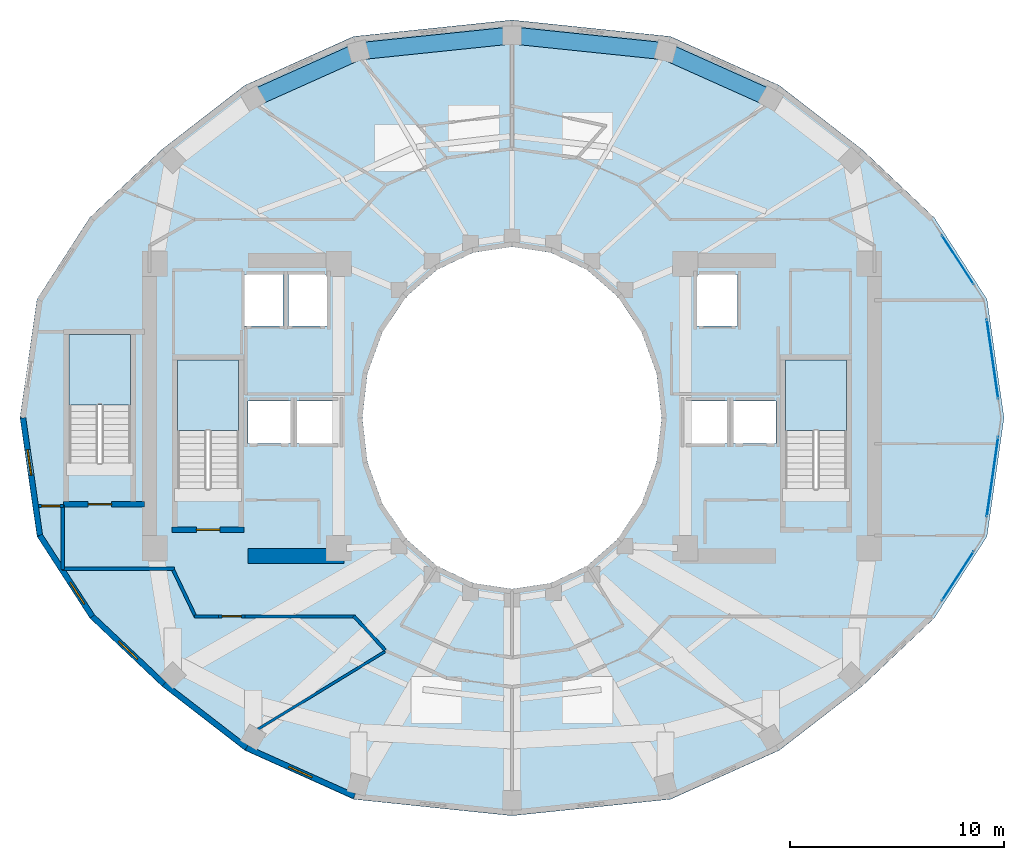
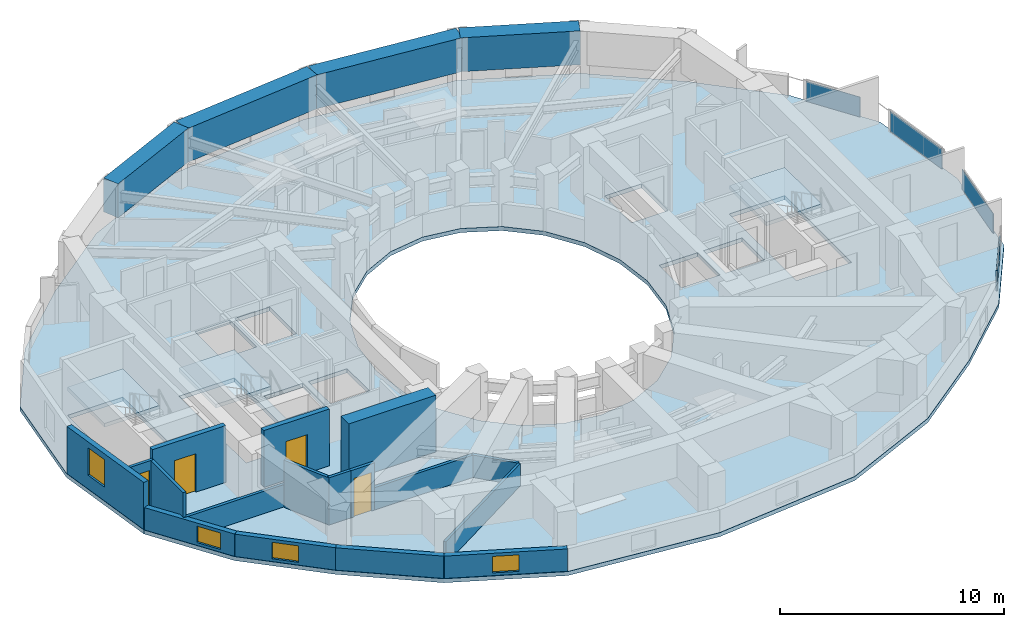
# One storey, part 5 of 13: 17 walls, 4 beams, 4 doors, 4 plates, 4 slabs, 4 windows, 8 openings, 7 elements without a shape of their own.
"""IFC4 building model written with IfcOpenShell, lengths in metres."""

from ifc_helpers import new_model, si_unit, direction, frame, frame_2d, origin, origin_2d, place, context, subcontext, project, spatial, polyline, rectangle, outline, extrude, material, layer, layer_set, material_profile, profile_set, type_object, element, fill, aggregate, save


model = new_model("IFC4")

# Units and contexts
model_context = context("Model", 3, precision=1e-05, world=origin(), true_north=direction((0.0, 1.0)))
body_context = subcontext(model_context, "Body", "Model", "MODEL_VIEW")
ifc_project = project(units=[si_unit("LENGTHUNIT", "METRE"), si_unit("AREAUNIT", "SQUARE_METRE"), si_unit("VOLUMEUNIT", "CUBIC_METRE"), si_unit("PLANEANGLEUNIT", "RADIAN"), si_unit("MASSUNIT", "GRAM", prefix="KILO")], contexts=[model_context])

# Site, building, storey
site_placement = place(None, origin())
site = spatial("IfcSite", under=ifc_project, at=site_placement, CompositionType="ELEMENT")
building_placement = place(site_placement, origin())
building = spatial("IfcBuilding", under=site, at=building_placement, Name="Solvane Sanctuary Tower", CompositionType="ELEMENT")
storey_placement = place(building_placement, frame((0.0, 0.0, 149.800048828125)))
storey = spatial("IfcBuildingStorey", under=building, at=storey_placement, Name="L45", CompositionType="ELEMENT", Elevation=149.800048828125)

# Beams
ifc_material_1 = material(Name="Concrete C70/85", Category="concrete")
ifc_material_profile = material_profile(ifc_material_1, rectangle(XDim=0.800048828125, YDim=1.85009765625, at=origin_2d()), Name="RC800X1850")
ifc_profile_set = profile_set([ifc_material_profile], Name="Concrete C70/85")
beam_type = type_object("IfcBeamType", Name="Beam B-XFER-BLK RC800X1850", PredefinedType="BEAM", material=ifc_profile_set)
beam_1_placement = place(storey_placement, frame((19.90185546875, 37.927978515625, 2.175048828125), z_axis=(0.912435879272, 0.409219704092, 0.0), x_axis=(-0.409219704092, 0.912435879272, 0.0)))
element("IfcBeam", 1, at=beam_1_placement, inside=storey, type_object=beam_type, Name="L45 Perimeter Step Transfer Ring NTC06-NTC05", PredefinedType="BEAM", context=body_context, shape_type="SweptSolid", body=[
    extrude(rectangle(XDim=0.800048828125, YDim=1.85009765625, at=origin_2d()), origin(), (0.0, 0.0, 1.0), 5.39208984375),
])
for number, where, z_axis, x_axis, name in (
    (2, (24.82177734375, 40.134521484375, 2.175048828125), (0.994652199756, 0.10328117699, 0.0), (-0.10328117699, 0.994652199756, 0.0), "L45 Perimeter Step Transfer Ring NTC05-NTC04"),
    (3, (32.0, 40.8798828125, 2.175048828125), (0.994652199756, -0.10328117699, 0.0), (0.10328117699, 0.994652199756, 0.0), "L45 Perimeter Step Transfer Ring NTC04-NTC03"),
):
    element("IfcBeam", number, at=place(storey_placement, frame(where, z_axis=z_axis, x_axis=x_axis)), inside=storey, type_object=beam_type, Name=name, PredefinedType="BEAM", context=body_context, shape_type="SweptSolid", body=[
        extrude(rectangle(XDim=0.800048828125, YDim=1.85009765625, at=origin_2d()), origin(), (0.0, 0.0, 1.0), 7.216796875),
    ])
beam_2_placement = place(storey_placement, frame((39.17822265625, 40.134521484375, 2.175048828125), z_axis=(0.912435879272, -0.409219704092, 0.0), x_axis=(0.409219704092, 0.912435879272, 0.0)))
element("IfcBeam", 4, at=beam_2_placement, inside=storey, type_object=beam_type, Name="L45 Perimeter Step Transfer Ring NTC03-NTC02", PredefinedType="BEAM", context=body_context, shape_type="SweptSolid", body=[
    extrude(rectangle(XDim=0.800048828125, YDim=1.85009765625, at=origin_2d()), origin(), (0.0, 0.0, 1.0), 5.39208984375),
])

# Curtain wall, plate
ifc_material_2 = material(Name="Anodised Aluminium 6063-T6", Category="aluminium")
ifc_layer_1 = layer(ifc_material_2, 0.2099609375, Name="Anodised Aluminium 6063-T6")
ifc_layer_set_1 = layer_set([ifc_layer_1], Name="Anodised Aluminium 6063-T6")
curtain_wall_type = type_object("IfcCurtainWallType", Name="Curtain Wall CW-PORTAL", PredefinedType="NOTDEFINED", material=ifc_layer_set_1)
curtain_wall_1_placement = place(storey_placement, origin())
curtain_wall_1 = element("IfcCurtainWall", 5, at=curtain_wall_1_placement, inside=storey, type_object=curtain_wall_type, Name="L45 CW-PORTAL Facade Run 00", PredefinedType="NOTDEFINED")
ifc_material_3 = material(Name="Dark Ceramic-Fritted Low-E Glass", Category="glass")
ifc_layer_2 = layer(ifc_material_3, 0.031982421875, Name="Dark Ceramic-Fritted Low-E Glass")
ifc_layer_set_2 = layer_set([ifc_layer_2], Name="Dark Ceramic-Fritted Low-E Glass")
plate_type = type_object("IfcPlateType", Name="Plate PN-FRIT-VIS", PredefinedType="CURTAIN_PANEL", material=ifc_layer_set_2)
plate_1_placement = place(storey_placement, frame((54.465087890625, 25.748291015625, 0.06494140625), z_axis=(0.0, 0.0, 1.0), x_axis=(-0.142247806053, 0.989831077342, 0.0)))
plate_1 = element("IfcPlate", 6, at=plate_1_placement, type_object=plate_type, Name="CW-PORTAL panel 1.1", PredefinedType="CURTAIN_PANEL", context=body_context, shape_type="SweptSolid", body=[
    extrude(rectangle(XDim=3.762939453125, YDim=0.031982421875, at=origin_2d()), origin(), (0.0, 0.0, 1.0), 1.090087890625),
])
aggregate(curtain_wall_1, [plate_1])

curtain_wall_2_placement = place(storey_placement, origin())
curtain_wall_2 = element("IfcCurtainWall", 7, at=curtain_wall_2_placement, inside=storey, type_object=curtain_wall_type, Name="L45 CW-PORTAL Facade Run 01", PredefinedType="NOTDEFINED")
plate_2_placement = place(storey_placement, frame((52.8447265625, 30.39013671875, 0.06494140625), z_axis=(0.0, 0.0, 1.0), x_axis=(-0.543340806728, 0.839512220128, 0.0)))
plate_2 = element("IfcPlate", 8, at=plate_2_placement, type_object=plate_type, Name="CW-PORTAL panel 1.1", PredefinedType="CURTAIN_PANEL", context=body_context, shape_type="SweptSolid", body=[
    extrude(rectangle(XDim=2.72119140625, YDim=0.031982421875, at=origin_2d()), origin(), (0.0, 0.0, 1.0), 1.090087890625),
])
aggregate(curtain_wall_2, [plate_2])

curtain_wall_3_placement = place(storey_placement, origin())
curtain_wall_3 = element("IfcCurtainWall", 9, at=curtain_wall_3_placement, inside=storey, type_object=curtain_wall_type, Name="L45 CW-PORTAL Facade Run 22", PredefinedType="NOTDEFINED")
plate_3_placement = place(storey_placement, frame((52.8447265625, 15.60986328125, 0.06494140625), z_axis=(0.0, 0.0, 1.0), x_axis=(0.543340806728, 0.839512220128, 0.0)))
plate_3 = element("IfcPlate", 10, at=plate_3_placement, type_object=plate_type, Name="CW-PORTAL panel 1.1", PredefinedType="CURTAIN_PANEL", context=body_context, shape_type="SweptSolid", body=[
    extrude(rectangle(XDim=2.72119140625, YDim=0.031982421875, at=origin_2d()), origin(), (0.0, 0.0, 1.0), 1.090087890625),
])
aggregate(curtain_wall_3, [plate_3])

curtain_wall_4_placement = place(storey_placement, origin())
curtain_wall_4 = element("IfcCurtainWall", 11, at=curtain_wall_4_placement, inside=storey, type_object=curtain_wall_type, Name="L45 CW-PORTAL Facade Run 23", PredefinedType="NOTDEFINED")
plate_4_placement = place(storey_placement, frame((54.465087890625, 20.251708984375, 0.06494140625), z_axis=(0.0, 0.0, 1.0), x_axis=(0.142247806053, 0.989831077342, 0.0)))
plate_4 = element("IfcPlate", 12, at=plate_4_placement, type_object=plate_type, Name="CW-PORTAL panel 1.1", PredefinedType="CURTAIN_PANEL", context=body_context, shape_type="SweptSolid", body=[
    extrude(rectangle(XDim=3.762939453125, YDim=0.031982421875, at=origin_2d()), origin(), (0.0, 0.0, 1.0), 1.090087890625),
])
aggregate(curtain_wall_4, [plate_4])

# Stair, slab
ifc_material_4 = material(Name="Concrete C45/55", Category="concrete")
stair_type = type_object("IfcStairType", Name="Stair ST-TOW", PredefinedType="HALF_TURN_STAIR", material=ifc_material_4)
stair_1_placement = place(storey_placement, origin())
stair_1 = element("IfcStair", 13, at=stair_1_placement, inside=storey, type_object=stair_type, Name="L45 Exit Stair ST-1 West Core", PredefinedType="HALF_TURN_STAIR")
ifc_layer_3 = layer(ifc_material_4, 0.199951171875, Name="Concrete C45/55")
ifc_layer_set_3 = layer_set([ifc_layer_3], Name="Concrete C45/55")
slab_type_1 = type_object("IfcSlabType", Name="Slab SL-LAND-180", PredefinedType="LANDING", material=ifc_layer_set_3)
slab_1_placement = place(storey_placement, frame((0.0, 0.0, 1.349853515625)))
slab_1 = element("IfcSlab", 14, at=slab_1_placement, type_object=slab_type_1, Name="ST-1 landing 1", PredefinedType="LANDING", context=body_context, shape_type="SweptSolid", body=[
    extrude(outline(polyline([(19.219970703125, 22.39990234375), (19.219970703125, 25.699951171875), (16.360107421875, 25.699951171875), (16.360107421875, 22.39990234375), (19.219970703125, 22.39990234375)])), origin(), (0.0, 0.0, 1.0), 0.2001953125),
])
aggregate(stair_1, [slab_1])

stair_2_placement = place(storey_placement, origin())
stair_2 = element("IfcStair", 15, at=stair_2_placement, inside=storey, type_object=stair_type, Name="L45 Exit Stair ST-2 East Core", PredefinedType="HALF_TURN_STAIR")
slab_2_placement = place(storey_placement, frame((0.0, 0.0, 1.349853515625)))
slab_2 = element("IfcSlab", 16, at=slab_2_placement, type_object=slab_type_1, Name="ST-2 landing 1", PredefinedType="LANDING", context=body_context, shape_type="SweptSolid", body=[
    extrude(outline(polyline([(47.639892578125, 22.39990234375), (47.639892578125, 25.699951171875), (44.780029296875, 25.699951171875), (44.780029296875, 22.39990234375), (47.639892578125, 22.39990234375)])), origin(), (0.0, 0.0, 1.0), 0.2001953125),
])
aggregate(stair_2, [slab_2])

stair_3_placement = place(storey_placement, origin())
stair_3 = element("IfcStair", 17, at=stair_3_placement, inside=storey, type_object=stair_type, Name="L45 Exit Stair ST-3 Pilgrim Tower Stair", PredefinedType="HALF_TURN_STAIR")
slab_3_placement = place(storey_placement, frame((0.0, 0.0, 1.349853515625)))
slab_3 = element("IfcSlab", 18, at=slab_3_placement, type_object=slab_type_1, Name="ST-3 landing 1", PredefinedType="LANDING", context=body_context, shape_type="SweptSolid", body=[
    extrude(outline(polyline([(14.159912109375, 23.60009765625), (14.159912109375, 26.89990234375), (11.300048828125, 26.89990234375), (11.300048828125, 23.60009765625), (14.159912109375, 23.60009765625)])), origin(), (0.0, 0.0, 1.0), 0.2001953125),
])
aggregate(stair_3, [slab_3])

# Slab
ifc_layer_4 = layer(ifc_material_4, 0.219970703125, Name="Concrete C45/55")
ifc_layer_set_4 = layer_set([ifc_layer_4], Name="Concrete C45/55")
slab_type_2 = type_object("IfcSlabType", Name="Slab SL-TOW-220", PredefinedType="FLOOR", material=ifc_layer_set_4)
slab_4_placement = place(storey_placement, frame((0.0, 0.0, -0.219970703125)))
element("IfcSlab", 19, at=slab_4_placement, inside=storey, type_object=slab_type_2, Name="L45 Primary Structural Slab", PredefinedType="FLOOR", context=body_context, shape_type="SweptSolid", body=[
    extrude(outline(polyline([(55.0, 23.0), (54.205322265625, 28.54150390625), (51.7392578125, 32.360107421875), (48.368896484375, 35.54345703125), (44.489013671875, 38.5458984375), (39.410400390625, 40.82958984375), (32.0, 41.60009765625), (24.589599609375, 40.82958984375), (19.510986328125, 38.5458984375), (15.631103515625, 35.54345703125), (12.2607421875, 32.360107421875), (9.794677734375, 28.54150390625), (9.0, 23.0), (9.794677734375, 17.45849609375), (12.2607421875, 13.639892578125), (15.631103515625, 10.45654296875), (19.510986328125, 7.4541015625), (24.589599609375, 5.17041015625), (32.0, 4.39990234375), (39.410400390625, 5.17041015625), (44.489013671875, 7.4541015625), (48.368896484375, 10.45654296875), (51.7392578125, 13.639892578125), (54.205322265625, 17.45849609375), (55.0, 23.0)]), holes=[polyline([(38.761474609375, 20.929443359375), (38.062255859375, 19.0), (36.94970703125, 17.343017578125), (35.5, 16.07177734375), (33.811767578125, 15.272705078125), (32.0, 15.0), (30.188232421875, 15.272705078125), (28.5, 16.07177734375), (27.05029296875, 17.343017578125), (25.937744140625, 19.0), (25.238525390625, 20.929443359375), (25.0, 23.0), (25.238525390625, 25.070556640625), (25.937744140625, 27.0), (27.05029296875, 28.656982421875), (28.5, 29.92822265625), (30.188232421875, 30.727294921875), (32.0, 31.0), (33.811767578125, 30.727294921875), (35.5, 29.92822265625), (36.94970703125, 28.656982421875), (38.062255859375, 27.0), (38.761474609375, 25.070556640625), (39.0, 23.0), (38.761474609375, 20.929443359375)]), polyline([(16.360107421875, 19.699951171875), (16.360107421875, 25.699951171875), (19.219970703125, 25.699951171875), (19.219970703125, 19.699951171875), (16.360107421875, 19.699951171875)]), polyline([(44.780029296875, 19.699951171875), (44.780029296875, 25.699951171875), (47.639892578125, 25.699951171875), (47.639892578125, 19.699951171875), (44.780029296875, 19.699951171875)]), polyline([(11.300048828125, 20.89990234375), (11.300048828125, 26.89990234375), (14.159912109375, 26.89990234375), (14.159912109375, 20.89990234375), (11.300048828125, 20.89990234375)]), polyline([(19.64990234375, 23.800048828125), (21.64990234375, 23.800048828125), (21.64990234375, 21.800048828125), (19.64990234375, 21.800048828125), (19.64990234375, 23.800048828125)]), polyline([(42.35009765625, 23.800048828125), (44.35009765625, 23.800048828125), (44.35009765625, 21.800048828125), (42.35009765625, 21.800048828125), (42.35009765625, 23.800048828125)]), polyline([(21.949951171875, 23.800048828125), (23.949951171875, 23.800048828125), (23.949951171875, 21.800048828125), (21.949951171875, 21.800048828125), (21.949951171875, 23.800048828125)]), polyline([(40.050048828125, 23.800048828125), (42.050048828125, 23.800048828125), (42.050048828125, 21.800048828125), (40.050048828125, 21.800048828125), (40.050048828125, 23.800048828125)]), polyline([(19.5, 29.699951171875), (21.300048828125, 29.699951171875), (21.300048828125, 27.300048828125), (19.5, 27.300048828125), (19.5, 29.699951171875)]), polyline([(21.550048828125, 29.699951171875), (23.35009765625, 29.699951171875), (23.35009765625, 27.300048828125), (21.550048828125, 27.300048828125), (21.550048828125, 29.699951171875)]), polyline([(40.64990234375, 29.699951171875), (42.550048828125, 29.699951171875), (42.550048828125, 27.300048828125), (40.64990234375, 27.300048828125), (40.64990234375, 29.699951171875)])]), origin(), (0.0, 0.0, 1.0), 0.219970703125),
])

# Wall
ifc_material_5 = material(Name="Concrete C60/75", Category="concrete")
ifc_layer_5 = layer(ifc_material_5, 0.699951171875, Name="Concrete C60/75")
ifc_layer_set_5 = layer_set([ifc_layer_5], Name="Concrete C60/75")
wall_type_1 = type_object("IfcWallType", Name="Wall W-CORE-700", PredefinedType="SHEAR", material=ifc_layer_set_5)
wall_1_placement = place(storey_placement, frame((19.64990234375, 16.550048828125, 0.0), z_axis=(0.0, 0.0, 1.0), x_axis=(1.0, 0.0, 0.0)))
element("IfcWall", 20, at=wall_1_placement, inside=storey, type_object=wall_type_1, Name="L45 Core Shear Wall WC-S", PredefinedType="SHEAR", context=body_context, shape_type="SweptSolid", body=[
    extrude(rectangle(XDim=4.5, YDim=0.699951171875, at=frame_2d((2.25, 0.0))), origin(), (0.0, 0.0, 1.0), 3.099853515625),
])

# Wall, opening, door
ifc_material_6 = material(Name="Acoustic Gypsum Partition Board")
ifc_layer_6 = layer(ifc_material_6, 0.14990234375, Name="Acoustic Gypsum Partition Board")
ifc_layer_set_6 = layer_set([ifc_layer_6], Name="Acoustic Gypsum Partition Board")
wall_type_2 = type_object("IfcWallType", Name="Wall W-CORR-150", PredefinedType="PARTITIONING", material=ifc_layer_set_6)
wall_2_placement = place(storey_placement, frame((9.869873046875, 18.8798828125, 0.0), z_axis=(0.0, 0.0, 1.0), x_axis=(1.0, 0.0, 0.0)))
wall_2 = element("IfcWall", 21, at=wall_2_placement, inside=storey, type_object=wall_type_2, Name="L45 SW Corner Closer 1", PredefinedType="PARTITIONING", context=body_context, shape_type="SweptSolid", body=[
    extrude(rectangle(XDim=1.170166015625, YDim=0.14990234375, at=frame_2d((0.5849609375, 0.0))), origin(), (0.0, 0.0, 1.0), 2.574951171875),
])
opening_1_placement = place(wall_2_placement, frame((0.139892578125, 0.0, 0.0)))
opening_1 = element("IfcOpeningElement", 22, at=opening_1_placement, cuts=wall_2, Name="Opening D-L45-16", PredefinedType="OPENING", context=body_context, shape_type="SweptSolid", body=[
    extrude(rectangle(XDim=0.85009765625, YDim=2.050048828125, at=frame_2d((0.425048828125, 1.02490234375))), frame((0.0, 0.0849609375, 0.0), z_axis=(0.0, -1.0, 0.0), x_axis=(1.0, 0.0, 0.0)), (0.0, 0.0, 1.0), 0.169921875),
])
ifc_material_7 = material(Name="Architectural Stainless Steel 316", Category="steel")
door_type_1 = type_object("IfcDoorType", Name="Door D-RISER", OperationType="NOTDEFINED", PredefinedType="DOOR", material=ifc_material_7)
door_1_placement = place(opening_1_placement, origin())
door_1 = element("IfcDoor", 23, at=door_1_placement, inside=storey, type_object=door_type_1, Name="L45 West Lookout Study Door", OperationType="SINGLE_SWING_RIGHT", OverallHeight=2.050048828125, OverallWidth=0.85009765625, PredefinedType="DOOR", context=body_context, shape_type="SweptSolid", body=[
    extrude(rectangle(XDim=0.85009765625, YDim=2.050048828125, at=frame_2d((0.425048828125, 1.02490234375))), frame((0.0, 0.02490234375, 0.0), z_axis=(0.0, -1.0, 0.0), x_axis=(1.0, 0.0, 0.0)), (0.0, 0.0, 1.0), 0.050048828125),
])
fill(opening_1, door_1)

# Walls
wall_3_placement = place(storey_placement, frame((11.0, 15.909912109375, 0.0), z_axis=(0.0, 0.0, 1.0), x_axis=(0.0, 1.0, 0.0)))
element("IfcWall", 24, at=wall_3_placement, inside=storey, type_object=wall_type_2, Name="L45 SW Corner Closer 2", PredefinedType="PARTITIONING", context=body_context, shape_type="SweptSolid", body=[
    extrude(rectangle(XDim=3.010009765625, YDim=0.14990234375, at=frame_2d((1.5048828125, 0.0))), origin(), (0.0, 0.0, 1.0), 2.574951171875),
])
wall_4_placement = place(storey_placement, frame((10.9599609375, 15.949951171875, 0.0), z_axis=(0.0, 0.0, 1.0), x_axis=(1.0, 0.0, 0.0)))
element("IfcWall", 25, at=wall_4_placement, inside=storey, type_object=wall_type_2, Name="L45 SW Corner Closer 3", PredefinedType="PARTITIONING", context=body_context, shape_type="SweptSolid", body=[
    extrude(rectangle(XDim=5.260009765625, YDim=0.14990234375, at=frame_2d((2.6298828125, 0.0))), origin(), (0.0, 0.0, 1.0), 1.219970703125),
])
wall_5_placement = place(storey_placement, frame((26.07177734375, 12.144287109375, 0.0), z_axis=(0.0, 0.0, 1.0), x_axis=(-0.677579737957, 0.735449317567, 0.0)))
element("IfcWall", 26, at=wall_5_placement, inside=storey, type_object=wall_type_2, Name="L45 SW Corner Throat Wall", PredefinedType="PARTITIONING", context=body_context, shape_type="SweptSolid", body=[
    extrude(rectangle(XDim=2.172607421875, YDim=0.14990234375, at=frame_2d((1.08642578125, 0.0))), origin(), (0.0, 0.0, 1.0), 1.219970703125),
])
wall_6_placement = place(storey_placement, frame((17.14990234375, 13.719970703125, 0.0), z_axis=(0.0, 0.0, 1.0), x_axis=(1.0, 0.0, 0.0)))
element("IfcWall", 27, at=wall_6_placement, inside=storey, type_object=wall_type_2, Name="L45 SW Corner Corridor Wall", PredefinedType="PARTITIONING", context=body_context, shape_type="SweptSolid", body=[
    extrude(rectangle(XDim=1.14013671875, YDim=0.14990234375, at=frame_2d((0.570068359375, 0.0))), origin(), (0.0, 0.0, 1.0), 2.574951171875),
])

# Wall, opening, door
wall_7_placement = place(storey_placement, frame((18.2900390625, 13.719970703125, 0.0), z_axis=(0.0, 0.0, 1.0), x_axis=(1.0, 0.0, 0.0)))
wall_7 = element("IfcWall", 28, at=wall_7_placement, inside=storey, type_object=wall_type_2, Name="L45 SW Corner Corridor Wall", PredefinedType="PARTITIONING", context=body_context, shape_type="SweptSolid", body=[
    extrude(rectangle(XDim=1.219970703125, YDim=0.14990234375, at=frame_2d((0.60986328125, 0.0))), origin(), (0.0, 0.0, 1.0), 2.574951171875),
])
opening_2_placement = place(wall_7_placement, frame((0.159912109375, 0.0, 0.0)))
opening_2 = element("IfcOpeningElement", 29, at=opening_2_placement, cuts=wall_7, Name="Opening D-L45-17", PredefinedType="OPENING", context=body_context, shape_type="SweptSolid", body=[
    extrude(rectangle(XDim=0.89990234375, YDim=2.10009765625, at=frame_2d((0.449951171875, 1.050048828125))), frame((0.0, 0.0849609375, 0.0), z_axis=(0.0, -1.0, 0.0), x_axis=(1.0, 0.0, 0.0)), (0.0, 0.0, 1.0), 0.169921875),
])
ifc_material_8 = material(Name="Engineered Tropical Hardwood", Category="wood")
door_type_2 = type_object("IfcDoorType", Name="Door D-WET-900", OperationType="NOTDEFINED", PredefinedType="DOOR", material=ifc_material_8)
door_2_placement = place(opening_2_placement, origin())
door_2 = element("IfcDoor", 30, at=door_2_placement, inside=storey, type_object=door_type_2, Name="L45 SW Corner Salon Door", OperationType="SINGLE_SWING_LEFT", OverallHeight=2.10009765625, OverallWidth=0.89990234375, PredefinedType="DOOR", context=body_context, shape_type="SweptSolid", body=[
    extrude(rectangle(XDim=0.89990234375, YDim=2.10009765625, at=frame_2d((0.449951171875, 1.050048828125))), frame((0.0, 0.02490234375, 0.0), z_axis=(0.0, -1.0, 0.0), x_axis=(1.0, 0.0, 0.0)), (0.0, 0.0, 1.0), 0.050048828125),
])
fill(opening_2, door_2)

# Walls
wall_8_placement = place(storey_placement, frame((19.510009765625, 13.719970703125, 0.0), z_axis=(0.0, 0.0, 1.0), x_axis=(1.0, 0.0, 0.0)))
element("IfcWall", 31, at=wall_8_placement, inside=storey, type_object=wall_type_2, Name="L45 SW Corner Corridor Wall", PredefinedType="PARTITIONING", context=body_context, shape_type="SweptSolid", body=[
    extrude(rectangle(XDim=5.159912109375, YDim=0.14990234375, at=frame_2d((2.580078125, 0.0))), origin(), (0.0, 0.0, 1.0), 1.219970703125),
])
wall_9_placement = place(storey_placement, frame((17.2216796875, 13.6748046875, 0.0), z_axis=(0.0, 0.0, 1.0), x_axis=(-0.431973389813, 0.901886351207, 0.0)))
element("IfcWall", 32, at=wall_9_placement, inside=storey, type_object=wall_type_2, Name="L45 SW Corner Wing Wall", PredefinedType="PARTITIONING", context=body_context, shape_type="SweptSolid", body=[
    extrude(rectangle(XDim=2.45166015625, YDim=0.14990234375, at=frame_2d((1.225830078125, 0.0))), origin(), (0.0, 0.0, 1.0), 2.574951171875),
])

# Wall, opening, window
ifc_material_9 = material(Name="Precast concrete C40/50", Category="concrete")
ifc_layer_7 = layer(ifc_material_9, 0.260009765625, Name="Precast concrete C40/50")
ifc_layer_set_7 = layer_set([ifc_layer_7], Name="Precast concrete C40/50")
wall_type_3 = type_object("IfcWallType", Name="Wall W-EXT-250", PredefinedType="STANDARD", material=ifc_layer_set_7)
wall_10_placement = place(storey_placement, frame((9.139892578125, 23.0, 0.0), z_axis=(0.0, 0.0, 1.0), x_axis=(0.142227632286, -0.989833976288, 0.0)))
wall_10 = element("IfcWall", 33, at=wall_10_placement, inside=storey, type_object=wall_type_3, Name="L45 Ceramic-Printed Facade Wall 12", PredefinedType="STANDARD", context=body_context, shape_type="SweptSolid", body=[
    extrude(rectangle(XDim=5.552978515625, YDim=0.260009765625, at=frame_2d((2.7763671875, 0.0))), origin(), (0.0, 0.0, 1.0), 2.570068359375),
])
opening_3_placement = place(wall_10_placement, frame((1.506103515625, 0.0, 0.75)))
opening_3 = element("IfcOpeningElement", 34, at=opening_3_placement, cuts=wall_10, Name="Opening WN-OPER-1200", PredefinedType="OPENING", context=body_context, shape_type="SweptSolid", body=[
    extrude(rectangle(XDim=1.199951171875, YDim=1.5, at=frame_2d((0.60009765625, 0.75))), frame((0.0, 0.139892578125, 0.0), z_axis=(0.0, -1.0, 0.0), x_axis=(1.0, 0.0, 0.0)), (0.0, 0.0, 1.0), 0.280029296875),
])
window_type = type_object("IfcWindowType", Name="Window WN-OPER-1200", PartitioningType="SINGLE_PANEL", PredefinedType="WINDOW", material=ifc_material_3)
window_1_placement = place(opening_3_placement, origin())
window_1 = element("IfcWindow", 35, at=window_1_placement, inside=storey, type_object=window_type, Name="L45 Operable Facade Window 12", OverallHeight=1.5, OverallWidth=1.199951171875, PartitioningType="SINGLE_PANEL", PredefinedType="WINDOW", context=body_context, shape_type="SweptSolid", body=[
    extrude(rectangle(XDim=1.199951171875, YDim=1.5, at=frame_2d((0.60009765625, 0.75))), frame((0.0, 0.030029296875, 0.0), z_axis=(0.0, -1.0, 0.0), x_axis=(1.0, 0.0, 0.0)), (0.0, 0.0, 1.0), 0.06005859375),
])
fill(opening_3, window_1)

wall_11_placement = place(storey_placement, frame((9.9296875, 17.50341796875, 0.0), z_axis=(0.0, 0.0, 1.0), x_axis=(0.543358984534, -0.839500454989, 0.0)))
wall_11 = element("IfcWall", 36, at=wall_11_placement, inside=storey, type_object=wall_type_3, Name="L45 Ceramic-Printed Facade Wall 13", PredefinedType="STANDARD", context=body_context, shape_type="SweptSolid", body=[
    extrude(rectangle(XDim=4.51123046875, YDim=0.260009765625, at=frame_2d((2.255615234375, 0.0))), origin(), (0.0, 0.0, 1.0), 1.219970703125),
])
opening_4_placement = place(wall_11_placement, frame((2.615478515625, 0.0, 0.14990234375)))
opening_4 = element("IfcOpeningElement", 37, at=opening_4_placement, cuts=wall_11, Name="Opening WN-OPER-1200", PredefinedType="OPENING", context=body_context, shape_type="SweptSolid", body=[
    extrude(rectangle(XDim=1.199951171875, YDim=0.89990234375, at=frame_2d((0.60009765625, 0.449951171875))), frame((0.0, 0.139892578125, 0.0), z_axis=(0.0, -1.0, 0.0), x_axis=(1.0, 0.0, 0.0)), (0.0, 0.0, 1.0), 0.280029296875),
])
window_2_placement = place(opening_4_placement, origin())
window_2 = element("IfcWindow", 38, at=window_2_placement, inside=storey, type_object=window_type, Name="L45 Operable Facade Window 13", OverallHeight=0.89990234375, OverallWidth=1.199951171875, PartitioningType="SINGLE_PANEL", PredefinedType="WINDOW", context=body_context, shape_type="SweptSolid", body=[
    extrude(rectangle(XDim=1.199951171875, YDim=0.89990234375, at=frame_2d((0.60009765625, 0.449951171875))), frame((0.0, 0.030029296875, 0.0), z_axis=(0.0, -1.0, 0.0), x_axis=(1.0, 0.0, 0.0)), (0.0, 0.0, 1.0), 0.06005859375),
])
fill(opening_4, window_2)

wall_12_placement = place(storey_placement, frame((12.380859375, 13.71630859375, 0.0), z_axis=(0.0, 0.0, 1.0), x_axis=(0.727667301037, -0.68593024354, 0.0)))
wall_12 = element("IfcWall", 39, at=wall_12_placement, inside=storey, type_object=wall_type_3, Name="L45 Ceramic-Printed Facade Wall 14", PredefinedType="STANDARD", context=body_context, shape_type="SweptSolid", body=[
    extrude(rectangle(XDim=4.603515625, YDim=0.260009765625, at=frame_2d((2.3017578125, 0.0))), origin(), (0.0, 0.0, 1.0), 1.219970703125),
])
opening_5_placement = place(wall_12_placement, frame((1.70166015625, 0.0, 0.14990234375)))
opening_5 = element("IfcOpeningElement", 40, at=opening_5_placement, cuts=wall_12, Name="Opening WN-OPER-1200", PredefinedType="OPENING", context=body_context, shape_type="SweptSolid", body=[
    extrude(rectangle(XDim=1.199951171875, YDim=0.89990234375, at=frame_2d((0.60009765625, 0.449951171875))), frame((0.0, 0.139892578125, 0.0), z_axis=(0.0, -1.0, 0.0), x_axis=(1.0, 0.0, 0.0)), (0.0, 0.0, 1.0), 0.280029296875),
])
window_3_placement = place(opening_5_placement, origin())
window_3 = element("IfcWindow", 41, at=window_3_placement, inside=storey, type_object=window_type, Name="L45 Operable Facade Window 14", OverallHeight=0.89990234375, OverallWidth=1.199951171875, PartitioningType="SINGLE_PANEL", PredefinedType="WINDOW", context=body_context, shape_type="SweptSolid", body=[
    extrude(rectangle(XDim=1.199951171875, YDim=0.89990234375, at=frame_2d((0.60009765625, 0.449951171875))), frame((0.0, 0.030029296875, 0.0), z_axis=(0.0, -1.0, 0.0), x_axis=(1.0, 0.0, 0.0)), (0.0, 0.0, 1.0), 0.06005859375),
])
fill(opening_5, window_3)

# Wall
wall_13_placement = place(storey_placement, frame((15.730712890625, 10.55859375, 0.0), z_axis=(0.0, 0.0, 1.0), x_axis=(0.791460185804, -0.611220724687, 0.0)))
element("IfcWall", 42, at=wall_13_placement, inside=storey, type_object=wall_type_3, Name="L45 Ceramic-Printed Facade Wall 15", PredefinedType="STANDARD", context=body_context, shape_type="SweptSolid", body=[
    extrude(rectangle(XDim=4.872314453125, YDim=0.260009765625, at=frame_2d((2.43603515625, 0.0))), origin(), (0.0, 0.0, 1.0), 1.219970703125),
])

# Wall, opening, window
wall_14_placement = place(storey_placement, frame((19.5869140625, 7.58056640625, 0.0), z_axis=(0.0, 0.0, 1.0), x_axis=(0.912353637112, -0.409403029847, 0.0)))
wall_14 = element("IfcWall", 43, at=wall_14_placement, inside=storey, type_object=wall_type_3, Name="L45 Ceramic-Printed Facade Wall 16", PredefinedType="STANDARD", context=body_context, shape_type="SweptSolid", body=[
    extrude(rectangle(XDim=5.53271484375, YDim=0.260009765625, at=frame_2d((2.766357421875, 0.0))), origin(), (0.0, 0.0, 1.0), 1.219970703125),
])
opening_6_placement = place(wall_14_placement, frame((2.16650390625, 0.0, 0.14990234375)))
opening_6 = element("IfcOpeningElement", 44, at=opening_6_placement, cuts=wall_14, Name="Opening WN-OPER-1200", PredefinedType="OPENING", context=body_context, shape_type="SweptSolid", body=[
    extrude(rectangle(XDim=1.199951171875, YDim=0.89990234375, at=frame_2d((0.60009765625, 0.449951171875))), frame((0.0, 0.139892578125, 0.0), z_axis=(0.0, -1.0, 0.0), x_axis=(1.0, 0.0, 0.0)), (0.0, 0.0, 1.0), 0.280029296875),
])
window_4_placement = place(opening_6_placement, origin())
window_4 = element("IfcWindow", 45, at=window_4_placement, inside=storey, type_object=window_type, Name="L45 Operable Facade Window 16", OverallHeight=0.89990234375, OverallWidth=1.199951171875, PartitioningType="SINGLE_PANEL", PredefinedType="WINDOW", context=body_context, shape_type="SweptSolid", body=[
    extrude(rectangle(XDim=1.199951171875, YDim=0.89990234375, at=frame_2d((0.60009765625, 0.449951171875))), frame((0.0, 0.030029296875, 0.0), z_axis=(0.0, -1.0, 0.0), x_axis=(1.0, 0.0, 0.0)), (0.0, 0.0, 1.0), 0.06005859375),
])
fill(opening_6, window_4)

# Wall
ifc_layer_8 = layer(ifc_material_6, 0.125, Name="Acoustic Gypsum Partition Board")
ifc_layer_set_8 = layer_set([ifc_layer_8], Name="Acoustic Gypsum Partition Board")
wall_type_4 = type_object("IfcWallType", Name="Wall W-PART-125", PredefinedType="PARTITIONING", material=ifc_layer_set_8)
wall_15_placement = place(storey_placement, frame((26.06201171875, 12.074951171875, 0.0), z_axis=(0.0, 0.0, 1.0), x_axis=(-0.853440334679, -0.521190555501, 0.0)))
element("IfcWall", 46, at=wall_15_placement, inside=storey, type_object=wall_type_4, Name="L45 Radial Compartment Wall 240", PredefinedType="PARTITIONING", context=body_context, shape_type="SweptSolid", body=[
    extrude(rectangle(XDim=6.966064453125, YDim=0.125, at=frame_2d((3.48291015625, 0.0))), origin(), (0.0, 0.0, 1.0), 1.219970703125),
])

# Wall, opening, door
ifc_material_10 = material(Name="Concrete C50/60", Category="concrete")
ifc_layer_9 = layer(ifc_material_10, 0.25, Name="Concrete C50/60")
ifc_layer_set_9 = layer_set([ifc_layer_9], Name="Concrete C50/60")
wall_type_5 = type_object("IfcWallType", Name="Wall W-SHAFT-250", PredefinedType="SOLIDWALL", material=ifc_layer_set_9)
wall_16_placement = place(storey_placement, frame((16.10498046875, 17.77001953125, 0.0), z_axis=(0.0, 0.0, 1.0), x_axis=(1.0, 0.0, 0.0)))
wall_16 = element("IfcWall", 47, at=wall_16_placement, inside=storey, type_object=wall_type_5, Name="L45 ST-1 Load-Bearing Shaft Wall S", PredefinedType="SOLIDWALL", context=body_context, shape_type="SweptSolid", body=[
    extrude(rectangle(XDim=3.3701171875, YDim=0.25, at=frame_2d((1.68505859375, 0.0))), origin(), (0.0, 0.0, 1.0), 3.099853515625),
])
opening_7_placement = place(wall_16_placement, frame((1.135009765625, 0.0, 0.0)))
opening_7 = element("IfcOpeningElement", 48, at=opening_7_placement, cuts=wall_16, Name="Opening D-L45-01", PredefinedType="OPENING", context=body_context, shape_type="SweptSolid", body=[
    extrude(rectangle(XDim=1.10009765625, YDim=2.10009765625, at=frame_2d((0.550048828125, 1.050048828125))), frame((0.0, 0.135009765625, 0.0), z_axis=(0.0, -1.0, 0.0), x_axis=(1.0, 0.0, 0.0)), (0.0, 0.0, 1.0), 0.27001953125),
])
door_type_3 = type_object("IfcDoorType", Name="Door D-STAIR", OperationType="NOTDEFINED", PredefinedType="DOOR", material=ifc_material_7)
door_3_placement = place(opening_7_placement, origin())
door_3 = element("IfcDoor", 49, at=door_3_placement, inside=storey, type_object=door_type_3, Name="L45 ST-1 Exit Stair Fire Door", OperationType="SINGLE_SWING_LEFT", OverallHeight=2.10009765625, OverallWidth=1.10009765625, PredefinedType="DOOR", context=body_context, shape_type="SweptSolid", body=[
    extrude(rectangle(XDim=1.10009765625, YDim=2.10009765625, at=frame_2d((0.550048828125, 1.050048828125))), frame((0.0, 0.02490234375, 0.0), z_axis=(0.0, -1.0, 0.0), x_axis=(1.0, 0.0, 0.0)), (0.0, 0.0, 1.0), 0.050048828125),
])
fill(opening_7, door_3)

wall_17_placement = place(storey_placement, frame((11.044921875, 18.969970703125, 0.0), z_axis=(0.0, 0.0, 1.0), x_axis=(1.0, 0.0, 0.0)))
wall_17 = element("IfcWall", 50, at=wall_17_placement, inside=storey, type_object=wall_type_5, Name="L45 ST-3 Load-Bearing Shaft Wall S", PredefinedType="SOLIDWALL", context=body_context, shape_type="SweptSolid", body=[
    extrude(rectangle(XDim=3.781982421875, YDim=0.25, at=frame_2d((1.89111328125, 0.0))), origin(), (0.0, 0.0, 1.0), 3.099853515625),
])
opening_8_placement = place(wall_17_placement, frame((1.135009765625, 0.0, 0.0)))
opening_8 = element("IfcOpeningElement", 51, at=opening_8_placement, cuts=wall_17, Name="Opening D-L45-03", PredefinedType="OPENING", context=body_context, shape_type="SweptSolid", body=[
    extrude(rectangle(XDim=1.10009765625, YDim=2.10009765625, at=frame_2d((0.550048828125, 1.050048828125))), frame((0.0, 0.135009765625, 0.0), z_axis=(0.0, -1.0, 0.0), x_axis=(1.0, 0.0, 0.0)), (0.0, 0.0, 1.0), 0.27001953125),
])
door_4_placement = place(opening_8_placement, origin())
door_4 = element("IfcDoor", 52, at=door_4_placement, inside=storey, type_object=door_type_3, Name="L45 ST-3 Exit Stair Fire Door", OperationType="SINGLE_SWING_LEFT", OverallHeight=2.10009765625, OverallWidth=1.10009765625, PredefinedType="DOOR", context=body_context, shape_type="SweptSolid", body=[
    extrude(rectangle(XDim=1.10009765625, YDim=2.10009765625, at=frame_2d((0.550048828125, 1.050048828125))), frame((0.0, 0.02490234375, 0.0), z_axis=(0.0, -1.0, 0.0), x_axis=(1.0, 0.0, 0.0)), (0.0, 0.0, 1.0), 0.050048828125),
])
fill(opening_8, door_4)

save(model, "model.ifc")
